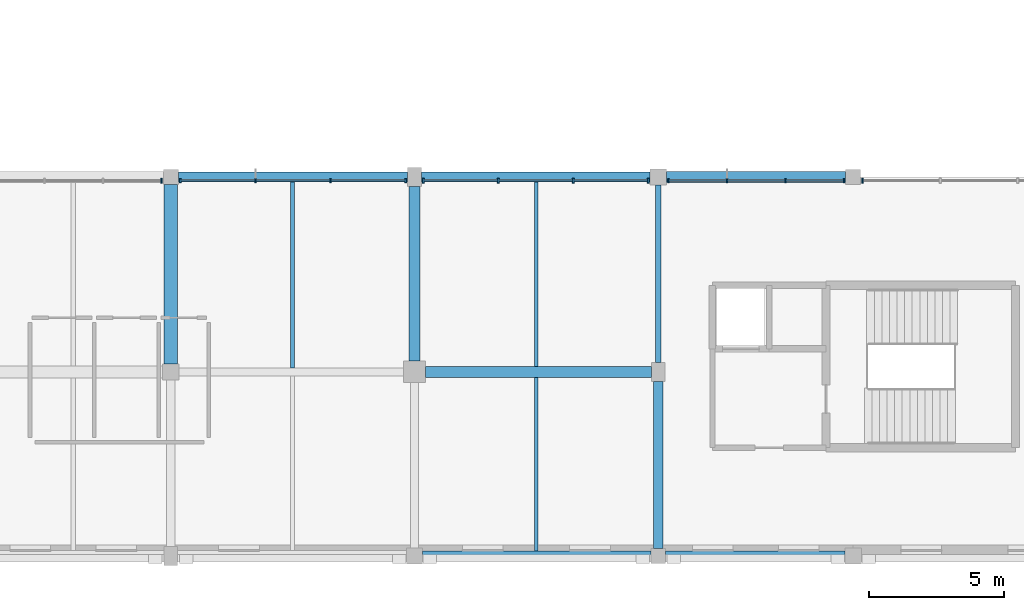
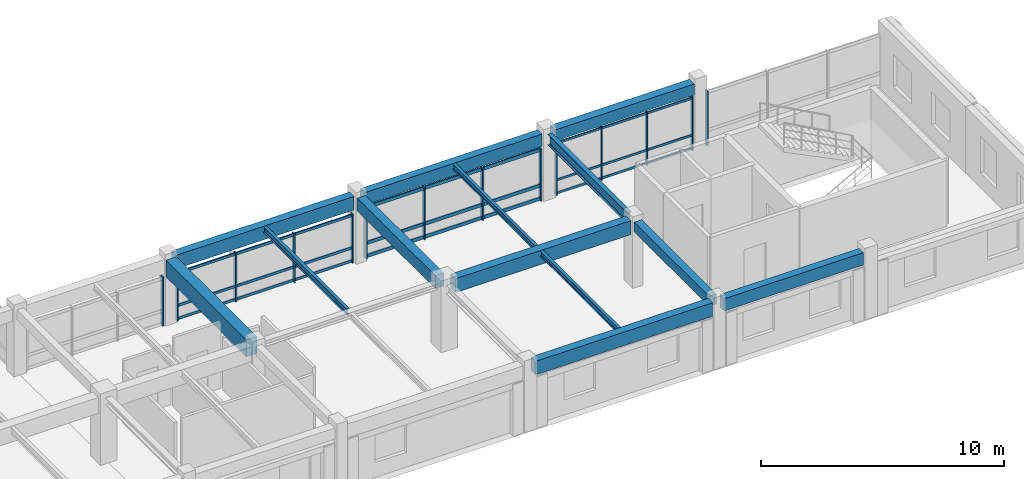
# One storey, part 8 of 74: 41 members, 13 beams, 5 elements without a shape of their own.
"""IFC4 building model written with IfcOpenShell, lengths in metres."""

import ifcopenshell
import ifcopenshell.guid

model = None  # the IFC model being written
_history = None  # IfcOwnerHistory: only IFC2X3 demands one
_inside = {}  # id of a spatial element -> (the spatial element, [elements in it])
_under = {}  # id of a project, library or spatial element -> (it, [spatial elements below it])
_declared = {}  # id of a project -> (the project, [libraries it declares])
_typed = {}  # id of a type object -> (the type object, [elements of that type])
_made_of = {}  # id of a material, layer set ... -> (it, [elements and type objects made of it])


def new_model(schema):
    """Start an empty IFC model of exactly this schema.

    Asked for "IFC4X3", IfcOpenShell would pick the latest addendum, in which some entities
    have other attributes; the version numbers below select the first issue.
    IFC2X3 requires an IfcOwnerHistory on every rooted entity: one is made here for all.
    """
    global model, _history
    if schema == "IFC4X3":
        model = ifcopenshell.file(schema_version=(4, 3, 0, 0))
    else:
        model = ifcopenshell.file(schema=schema)
    _inside.clear()
    _under.clear()
    _declared.clear()
    _typed.clear()
    _made_of.clear()
    _history = None
    if model.schema == "IFC2X3":
        org = make("IfcOrganization", Name="unknown")
        user = make(
            "IfcPersonAndOrganization",
            ThePerson=make("IfcPerson", FamilyName="unknown"),
            TheOrganization=org,
        )
        app = make(
            "IfcApplication",
            ApplicationDeveloper=org,
            Version="unknown",
            ApplicationFullName="unknown",
            ApplicationIdentifier="unknown",
        )
        _history = make(
            "IfcOwnerHistory",
            OwningUser=user,
            OwningApplication=app,
            ChangeAction="ADDED",
            CreationDate=0,
        )
    return model


def make(cls, **values):
    """One entity of the class cls with the attributes given. An attribute that is None is left unset."""
    return model.create_entity(
        cls, **{name: value for name, value in values.items() if value is not None}
    )


def rooted(cls, **values):
    """An entity with a GlobalId (a new one), such as an element, a storey or a relation."""
    return make(cls, GlobalId=ifcopenshell.guid.new(), OwnerHistory=_history, **values)


def si_unit(unit_type, name, prefix=None):
    """IfcSIUnit, for example si_unit("LENGTHUNIT", "METRE", prefix="MILLI")."""
    return make("IfcSIUnit", UnitType=unit_type, Prefix=prefix, Name=name)


def assignment(units):
    """IfcUnitAssignment: the units of a project."""
    return None if units is None else make("IfcUnitAssignment", Units=units)


def point(xyz):
    """IfcCartesianPoint."""
    return None if xyz is None else make("IfcCartesianPoint", Coordinates=xyz)


def direction(xyz):
    """IfcDirection."""
    return None if xyz is None else make("IfcDirection", DirectionRatios=xyz)


def frame(location, z_axis=None, x_axis=None):
    """IfcAxis2Placement3D, a coordinate frame: its origin and axes. An axis left out is left unset."""
    return make(
        "IfcAxis2Placement3D",
        Location=point(location),
        Axis=direction(z_axis),
        RefDirection=direction(x_axis),
    )


def frame_2d(location, x_axis=None):
    """IfcAxis2Placement2D, a coordinate frame in the plane: its origin and x axis."""
    return make(
        "IfcAxis2Placement2D", Location=point(location), RefDirection=direction(x_axis)
    )


def origin():
    """The frame at (0, 0, 0) with its axes left unset."""
    return frame((0.0, 0.0, 0.0))


def origin_2d():
    """The frame at (0, 0) in the plane with its x axis left unset."""
    return frame_2d((0.0, 0.0))


def place(relative_to, where):
    """IfcLocalPlacement: puts the frame where relative to a parent placement (None: the world)."""
    return make(
        "IfcLocalPlacement", PlacementRelTo=relative_to, RelativePlacement=where
    )


def context(
    kind, dimensions, precision=None, world=None, true_north=None, identifier=None
):
    """IfcGeometricRepresentationContext, for example the 3D "Model" context."""
    return make(
        "IfcGeometricRepresentationContext",
        ContextIdentifier=identifier,
        ContextType=kind,
        CoordinateSpaceDimension=dimensions,
        Precision=precision,
        WorldCoordinateSystem=world,
        TrueNorth=true_north,
    )


def subcontext(parent, identifier, kind, view, scale=None):
    """IfcGeometricRepresentationSubContext, for example "Body" below "Model"."""
    return make(
        "IfcGeometricRepresentationSubContext",
        ContextIdentifier=identifier,
        ContextType=kind,
        ParentContext=parent,
        TargetScale=scale,
        TargetView=view,
    )


def project(units=None, contexts=None):
    """IfcProject with its units and contexts."""
    return rooted(
        "IfcProject",
        Name="project",
        RepresentationContexts=contexts,
        UnitsInContext=assignment(units),
    )


def spatial(cls, under=None, at=None, **own):
    """A site, building, storey or space (cls), placed at a placement, below another one or the project."""
    s = rooted(cls, ObjectPlacement=at, **own)
    if under is not None:
        _under.setdefault(under.id(), (under, []))[1].append(s)
    return s


def profile(cls, at=None, kind="AREA", **sizes):
    """A parametric profile (cls). Its sizes go by their IFC names, for example OverallWidth=200.0."""
    return make(cls, ProfileType=kind, Position=at, **sizes)


def rectangle(**sizes):
    """IfcRectangleProfileDef."""
    return profile("IfcRectangleProfileDef", **sizes)


def i_section(**sizes):
    """IfcIShapeProfileDef."""
    return profile("IfcIShapeProfileDef", **sizes)


def extrude(swept, where, along, depth):
    """IfcExtrudedAreaSolid: the profile swept, set in the frame where, extruded along a direction by depth."""
    return make(
        "IfcExtrudedAreaSolid",
        SweptArea=swept,
        Position=where,
        ExtrudedDirection=direction(along),
        Depth=depth,
    )


def shape(context_of_items, identifier, shape_type, items):
    """IfcShapeRepresentation: the items that make up one representation, for example the "Body"."""
    return make(
        "IfcShapeRepresentation",
        ContextOfItems=context_of_items,
        RepresentationIdentifier=identifier,
        RepresentationType=shape_type,
        Items=items,
    )


def material(Name=None, Category=None):
    """IfcMaterial."""
    return make("IfcMaterial", Name=Name, Category=Category)


def material_profile(
    of_material, cross_section, Name=None, Category=None, Priority=None
):
    """IfcMaterialProfile: a cross section and its material."""
    return make(
        "IfcMaterialProfile",
        Name=Name,
        Material=of_material,
        Profile=cross_section,
        Priority=Priority,
        Category=Category,
    )


def profile_set(profiles, Name=None, composite=None):
    """IfcMaterialProfileSet."""
    return make(
        "IfcMaterialProfileSet",
        Name=Name,
        MaterialProfiles=profiles,
        CompositeProfile=composite,
    )


def made_of(thing, what):
    """Note that an element or type object is made of a material, layer set ...; save() writes the relation."""
    if what is not None:
        _made_of.setdefault(what.id(), (what, []))[1].append(thing)
    return thing


def type_object(cls, material=None, **own):
    """A type object (cls), such as IfcWallType, which elements share."""
    return made_of(rooted(cls, **own), material)


def element(
    cls,
    number,
    at=None,
    inside=None,
    cuts=None,
    type_object=None,
    material=None,
    context=None,
    identifier="Body",
    shape_type=None,
    held_by="IfcProductDefinitionShape",
    body=None,
    shapes=None,
    **own,
):
    """One element of the class cls, such as IfcWall. Its Tag is "e" and its number.

    at: its placement. inside: the storey or other place that contains it. cuts: it is an
    opening in that element (IfcRelVoidsElement). A single representation is given by context,
    identifier, shape_type and body (its items); several are given by shapes. held_by: the class
    of the entity that holds the representations. save() writes the other relations.
    """
    e = rooted(cls, Tag="e%d" % number, ObjectPlacement=at, **own)
    if body is not None:
        shapes = [shape(context, identifier, shape_type, body)]
    if shapes is not None:
        e.Representation = make(held_by, Representations=shapes)
    if inside is not None:
        _inside.setdefault(inside.id(), (inside, []))[1].append(e)
    if cuts is not None:
        rooted(
            "IfcRelVoidsElement", RelatingBuildingElement=cuts, RelatedOpeningElement=e
        )
    if type_object is not None:
        _typed.setdefault(type_object.id(), (type_object, []))[1].append(e)
    return made_of(e, material)


def aggregate(whole, parts):
    """IfcRelAggregates: a whole, such as a stair, and the parts it consists of."""
    return rooted("IfcRelAggregates", RelatingObject=whole, RelatedObjects=parts)


def save(model, path):
    """Write the relations noted so far, then the file.

    IfcRelAggregates (storeys below a building ...), IfcRelContainedInSpatialStructure (elements
    in a storey), IfcRelDefinesByType, IfcRelAssociatesMaterial and IfcRelDeclares: one each for
    every whole, place, type object, material and project.
    """
    for whole, parts in _under.values():
        aggregate(whole, parts)
    for where, things in _inside.values():
        rooted(
            "IfcRelContainedInSpatialStructure",
            RelatedElements=things,
            RelatingStructure=where,
        )
    for kind, things in _typed.values():
        rooted("IfcRelDefinesByType", RelatedObjects=things, RelatingType=kind)
    for what, things in _made_of.values():
        rooted("IfcRelAssociatesMaterial", RelatedObjects=things, RelatingMaterial=what)
    for by, libraries in _declared.values():
        rooted("IfcRelDeclares", RelatingContext=by, RelatedDefinitions=libraries)
    model.write(path)


model = new_model("IFC4")

# Units and contexts
model_context = context("Model", 3, precision=1e-05, world=origin(), true_north=direction((0.0, 1.0)))
body_context = subcontext(model_context, "Body", "Model", "MODEL_VIEW")
ifc_project = project(units=[si_unit("LENGTHUNIT", "METRE"), si_unit("AREAUNIT", "SQUARE_METRE"), si_unit("VOLUMEUNIT", "CUBIC_METRE"), si_unit("PLANEANGLEUNIT", "RADIAN"), si_unit("MASSUNIT", "GRAM", prefix="KILO")], contexts=[model_context])

# Site, building, storey
site_placement = place(None, origin())
site = spatial("IfcSite", under=ifc_project, at=site_placement, CompositionType="ELEMENT")
building_placement = place(site_placement, origin())
building = spatial("IfcBuilding", under=site, at=building_placement, Name="Clarverna Civic Hall", CompositionType="ELEMENT")
storey_placement = place(building_placement, frame((0.0, 0.0, 9.60009765625)))
storey = spatial("IfcBuildingStorey", under=building, at=storey_placement, Name="L02", CompositionType="ELEMENT", Elevation=9.60009765625)

# Beams
ifc_material_1 = material(Name="Concrete C35/45", Category="concrete")
ifc_material_profile_1 = material_profile(ifc_material_1, rectangle(XDim=0.5, YDim=0.85009765625, at=origin_2d()), Name="RC 500x850")
ifc_profile_set_1 = profile_set([ifc_material_profile_1], Name="Concrete C35/45")
beam_type_1 = type_object("IfcBeamType", Name="B-RC1", PredefinedType="BEAM", material=ifc_profile_set_1)
beam_1_placement = place(storey_placement, frame((32.39990234375, 7.10009765625, 2.89501953125), z_axis=(0.0, 1.0, 0.0), x_axis=(-1.0, 0.0, 0.0)))
element("IfcBeam", 1, at=beam_1_placement, inside=storey, type_object=beam_type_1, Name="B-RC1-023", PredefinedType="BEAM", context=body_context, shape_type="SweptSolid", body=[
    extrude(rectangle(XDim=0.5, YDim=0.85009765625, at=origin_2d()), origin(), (0.0, 0.0, 1.0), 6.625),
])
ifc_material_profile_2 = material_profile(ifc_material_1, rectangle(XDim=0.35009765625, YDim=0.5, at=origin_2d()), Name="RC 350x500")
ifc_profile_set_2 = profile_set([ifc_material_profile_2], Name="Concrete C35/45")
beam_type_2 = type_object("IfcBeamType", Name="B-RC10", PredefinedType="BEAM", material=ifc_profile_set_2)
beam_2_placement = place(storey_placement, frame((50.39990234375, 0.27490234375, 3.06982421875), z_axis=(0.0, 1.0, 0.0), x_axis=(-1.0, 0.0, 0.0)))
element("IfcBeam", 2, at=beam_2_placement, inside=storey, type_object=beam_type_2, Name="B-RC10-029", PredefinedType="BEAM", context=body_context, shape_type="SweptSolid", body=[
    extrude(rectangle(XDim=0.35009765625, YDim=0.5, at=origin_2d()), origin(), (0.0, 0.0, 1.0), 6.175048828125),
])
ifc_material_profile_3 = material_profile(ifc_material_1, rectangle(XDim=0.39990234375, YDim=0.699951171875, at=origin_2d()), Name="RC 400x700")
ifc_profile_set_3 = profile_set([ifc_material_profile_3], Name="Concrete C35/45")
beam_type_3 = type_object("IfcBeamType", Name="B-RC5", PredefinedType="BEAM", material=ifc_profile_set_3)
beam_3_placement = place(storey_placement, frame((41.800048828125, 6.800048828125, 2.969970703125), z_axis=(1.0, 0.0, 0.0), x_axis=(0.0, 1.0, 0.0)))
element("IfcBeam", 3, at=beam_3_placement, inside=storey, type_object=beam_type_3, Name="B-RC5-027", PredefinedType="BEAM", context=body_context, shape_type="SweptSolid", body=[
    extrude(rectangle(XDim=0.39990234375, YDim=0.699951171875, at=origin_2d()), origin(), (0.0, 0.0, 1.0), 8.349853515625),
])
ifc_material_profile_4 = material_profile(ifc_material_1, rectangle(XDim=0.39990234375, YDim=0.64990234375, at=origin_2d()), Name="RC 400x650")
ifc_profile_set_4 = profile_set([ifc_material_profile_4], Name="Concrete C35/45")
beam_type_4 = type_object("IfcBeamType", Name="B-RC6", PredefinedType="BEAM", material=ifc_profile_set_4)
beam_4_placement = place(storey_placement, frame((41.39990234375, 7.199951171875, 2.994873046875), z_axis=(0.0, 1.0, 0.0), x_axis=(-1.0, 0.0, 0.0)))
element("IfcBeam", 4, at=beam_4_placement, inside=storey, type_object=beam_type_4, Name="B-RC6-041", PredefinedType="BEAM", context=body_context, shape_type="SweptSolid", body=[
    extrude(rectangle(XDim=0.39990234375, YDim=0.64990234375, at=origin_2d()), origin(), (0.0, 0.0, 1.0), 6.449951171875),
])
ifc_material_profile_5 = material_profile(ifc_material_1, rectangle(XDim=0.3798828125, YDim=0.679931640625, at=origin_2d()), Name="RC 380x680")
ifc_profile_set_5 = profile_set([ifc_material_profile_5], Name="Concrete C35/45")
beam_type_5 = type_object("IfcBeamType", Name="B-SP2", PredefinedType="SPANDREL", material=ifc_profile_set_5)
beam_5_placement = place(storey_placement, frame((41.699951171875, 0.0, 2.97998046875), z_axis=(1.0, 0.0, 0.0), x_axis=(0.0, 1.0, 0.0)))
element("IfcBeam", 5, at=beam_5_placement, inside=storey, type_object=beam_type_5, Name="B-SP2-083", PredefinedType="SPANDREL", context=body_context, shape_type="SweptSolid", body=[
    extrude(rectangle(XDim=0.3798828125, YDim=0.679931640625, at=origin_2d()), origin(), (0.0, 0.0, 1.0), 8.425048828125),
])
beam_6_placement = place(storey_placement, frame((32.675048828125, 14.0, 2.97998046875), z_axis=(1.0, 0.0, 0.0), x_axis=(0.0, 1.0, 0.0)))
element("IfcBeam", 6, at=beam_6_placement, inside=storey, type_object=beam_type_5, Name="B-SP2-084", PredefinedType="SPANDREL", context=body_context, shape_type="SweptSolid", body=[
    extrude(rectangle(XDim=0.3798828125, YDim=0.679931640625, at=origin_2d()), origin(), (0.0, 0.0, 1.0), 8.474853515625),
])
ifc_material_profile_6 = material_profile(ifc_material_1, rectangle(XDim=0.360107421875, YDim=0.6201171875, at=origin_2d()), Name="RC 360x620")
ifc_profile_set_6 = profile_set([ifc_material_profile_6], Name="Concrete C35/45")
beam_type_6 = type_object("IfcBeamType", Name="B-SP3", PredefinedType="SPANDREL", material=ifc_profile_set_6)
beam_7_placement = place(storey_placement, frame((50.675048828125, 0.0, 3.010009765625), z_axis=(1.0, 0.0, 0.0), x_axis=(0.0, 1.0, 0.0)))
element("IfcBeam", 7, at=beam_7_placement, inside=storey, type_object=beam_type_6, Name="B-SP3-083", PredefinedType="SPANDREL", context=body_context, shape_type="SweptSolid", body=[
    extrude(rectangle(XDim=0.360107421875, YDim=0.6201171875, at=origin_2d()), origin(), (0.0, 0.0, 1.0), 6.625),
])
beam_8_placement = place(storey_placement, frame((41.64990234375, 14.0, 3.010009765625), z_axis=(1.0, 0.0, 0.0), x_axis=(0.0, 1.0, 0.0)))
element("IfcBeam", 8, at=beam_8_placement, inside=storey, type_object=beam_type_6, Name="B-SP3-084", PredefinedType="SPANDREL", context=body_context, shape_type="SweptSolid", body=[
    extrude(rectangle(XDim=0.360107421875, YDim=0.6201171875, at=origin_2d()), origin(), (0.0, 0.0, 1.0), 8.4501953125),
])
ifc_material_profile_7 = material_profile(ifc_material_1, rectangle(XDim=0.39990234375, YDim=0.56005859375, at=origin_2d()), Name="RC 400x560")
ifc_profile_set_7 = profile_set([ifc_material_profile_7], Name="Concrete C35/45")
beam_type_7 = type_object("IfcBeamType", Name="B-SP4", PredefinedType="SPANDREL", material=ifc_profile_set_7)
beam_9_placement = place(storey_placement, frame((50.699951171875, 14.0, 3.039794921875), z_axis=(1.0, 0.0, 0.0), x_axis=(0.0, 1.0, 0.0)))
element("IfcBeam", 9, at=beam_9_placement, inside=storey, type_object=beam_type_7, Name="B-SP4-082", PredefinedType="SPANDREL", context=body_context, shape_type="SweptSolid", body=[
    extrude(rectangle(XDim=0.39990234375, YDim=0.56005859375, at=origin_2d()), origin(), (0.0, 0.0, 1.0), 6.625),
])
ifc_material_2 = material(Name="Steel S355", Category="steel")
ifc_material_profile_8 = material_profile(ifc_material_2, i_section(OverallWidth=0.2099609375, OverallDepth=0.550048828125, WebThickness=0.010986328125, FlangeThickness=0.01708984375, FilletRadius=0.02392578125, at=origin_2d()), Name="IPE 550")
ifc_profile_set_8 = profile_set([ifc_material_profile_8], Name="Steel S355")
beam_type_8 = type_object("IfcBeamType", Name="B-ST11", PredefinedType="BEAM", material=ifc_profile_set_8)
beam_10_placement = place(storey_placement, frame((50.39990234375, 7.14990234375, 3.044921875), z_axis=(0.0, 1.0, 0.0), x_axis=(-1.0, 0.0, 0.0)))
element("IfcBeam", 10, at=beam_10_placement, inside=storey, type_object=beam_type_8, Name="B-ST11-012", PredefinedType="BEAM", context=body_context, shape_type="SweptSolid", body=[
    extrude(i_section(OverallWidth=0.2099609375, OverallDepth=0.550048828125, WebThickness=0.010986328125, FlangeThickness=0.01708984375, FilletRadius=0.02392578125, at=origin_2d()), origin(), (0.0, 0.0, 1.0), 6.550048828125),
])

# Curtain wall, member
ifc_material_3 = material(Name="Anodised Bronze Architectural Aluminium", Category="aluminium")
curtain_wall_type = type_object("IfcCurtainWallType", Name="CW-01", PredefinedType="USERDEFINED", material=ifc_material_3)
curtain_wall_1_placement = place(storey_placement, origin())
curtain_wall_1 = element("IfcCurtainWall", 11, at=curtain_wall_1_placement, inside=storey, type_object=curtain_wall_type, Name="CW-01-058", ObjectType="UNITISED CURTAIN WALL", PredefinedType="USERDEFINED")
ifc_material_profile_9 = material_profile(ifc_material_3, rectangle(XDim=0.06005859375, YDim=0.179931640625, at=origin_2d()), Name="BRONZE 60x180")
ifc_profile_set_9 = profile_set([ifc_material_profile_9], Name="Anodised Bronze Architectural Aluminium")
member_type_1 = type_object("IfcMemberType", Name="CWM-01", PredefinedType="MULLION", material=ifc_profile_set_9)
member_1_placement = place(storey_placement, frame((32.052001953125, 13.860107421875, 0.0), z_axis=(0.0, 0.0, 1.0), x_axis=(1.0, 0.0, 0.0)))
member_1 = element("IfcMember", 12, at=member_1_placement, type_object=member_type_1, Name="CWM-01-112", PredefinedType="MULLION", context=body_context, shape_type="SweptSolid", body=[
    extrude(rectangle(XDim=0.06005859375, YDim=0.179931640625, at=origin_2d()), origin(), (0.0, 0.0, 1.0), 2.469970703125),
])
aggregate(curtain_wall_1, [member_1])

curtain_wall_2_placement = place(storey_placement, origin())
curtain_wall_2 = element("IfcCurtainWall", 13, at=curtain_wall_2_placement, inside=storey, type_object=curtain_wall_type, Name="CW-01-062", ObjectType="UNITISED CURTAIN WALL", PredefinedType="USERDEFINED")
member_2_placement = place(storey_placement, frame((57.947998046875, 13.860107421875, 0.0), z_axis=(0.0, 0.0, 1.0), x_axis=(1.0, 0.0, 0.0)))
member_2 = element("IfcMember", 14, at=member_2_placement, type_object=member_type_1, Name="CWM-01-113", PredefinedType="MULLION", context=body_context, shape_type="SweptSolid", body=[
    extrude(rectangle(XDim=0.06005859375, YDim=0.179931640625, at=origin_2d()), origin(), (0.0, 0.0, 1.0), 2.760009765625),
])
aggregate(curtain_wall_2, [member_2])

# Curtain wall, members
curtain_wall_3_placement = place(storey_placement, origin())
curtain_wall_3 = element("IfcCurtainWall", 15, at=curtain_wall_3_placement, inside=storey, type_object=curtain_wall_type, Name="CW-01-059", ObjectType="UNITISED CURTAIN WALL", PredefinedType="USERDEFINED")
ifc_material_profile_10 = material_profile(ifc_material_3, rectangle(XDim=0.06005859375, YDim=0.159912109375, at=origin_2d()), Name="BRONZE 60x160")
ifc_profile_set_10 = profile_set([ifc_material_profile_10], Name="Anodised Bronze Architectural Aluminium")
member_type_2 = type_object("IfcMemberType", Name="CWM-02", PredefinedType="MULLION", material=ifc_profile_set_10)
member_3_placement = place(storey_placement, frame((32.748046875, 13.860107421875, 0.0), z_axis=(0.0, 0.0, 1.0), x_axis=(1.0, 0.0, 0.0)))
member_3 = element("IfcMember", 16, at=member_3_placement, type_object=member_type_2, Name="CWM-02-137", PredefinedType="MULLION", context=body_context, shape_type="SweptSolid", body=[
    extrude(rectangle(XDim=0.06005859375, YDim=0.159912109375, at=origin_2d()), origin(), (0.0, 0.0, 1.0), 2.469970703125),
])
member_4_placement = place(storey_placement, frame((35.5244140625, 13.860107421875, 0.0), z_axis=(0.0, 0.0, 1.0), x_axis=(1.0, 0.0, 0.0)))
member_4 = element("IfcMember", 17, at=member_4_placement, type_object=member_type_2, Name="CWM-02-138", PredefinedType="MULLION", context=body_context, shape_type="SweptSolid", body=[
    extrude(rectangle(XDim=0.06005859375, YDim=0.159912109375, at=origin_2d()), origin(), (0.0, 0.0, 1.0), 2.469970703125),
])
member_5_placement = place(storey_placement, frame((38.30078125, 13.860107421875, 0.0), z_axis=(0.0, 0.0, 1.0), x_axis=(1.0, 0.0, 0.0)))
member_5 = element("IfcMember", 18, at=member_5_placement, type_object=member_type_2, Name="CWM-02-139", PredefinedType="MULLION", context=body_context, shape_type="SweptSolid", body=[
    extrude(rectangle(XDim=0.06005859375, YDim=0.159912109375, at=origin_2d()), origin(), (0.0, 0.0, 1.0), 2.469970703125),
])
member_6_placement = place(storey_placement, frame((41.076904296875, 13.860107421875, 0.0), z_axis=(0.0, 0.0, 1.0), x_axis=(1.0, 0.0, 0.0)))
member_6 = element("IfcMember", 19, at=member_6_placement, type_object=member_type_2, Name="CWM-02-140", PredefinedType="MULLION", context=body_context, shape_type="SweptSolid", body=[
    extrude(rectangle(XDim=0.06005859375, YDim=0.159912109375, at=origin_2d()), origin(), (0.0, 0.0, 1.0), 2.469970703125),
])

curtain_wall_4_placement = place(storey_placement, origin())
curtain_wall_4 = element("IfcCurtainWall", 20, at=curtain_wall_4_placement, inside=storey, type_object=curtain_wall_type, Name="CW-01-060", ObjectType="UNITISED CURTAIN WALL", PredefinedType="USERDEFINED")
ifc_material_profile_11 = material_profile(ifc_material_3, rectangle(XDim=0.06494140625, YDim=0.199951171875, at=origin_2d()), Name="BRONZE 65x200")
ifc_profile_set_11 = profile_set([ifc_material_profile_11], Name="Anodised Bronze Architectural Aluminium")
member_type_3 = type_object("IfcMemberType", Name="CWM-03", PredefinedType="MULLION", material=ifc_profile_set_11)
member_7_placement = place(storey_placement, frame((41.722900390625, 13.860107421875, 0.0), z_axis=(0.0, 0.0, 1.0), x_axis=(1.0, 0.0, 0.0)))
member_7 = element("IfcMember", 21, at=member_7_placement, type_object=member_type_3, Name="CWM-03-113", PredefinedType="MULLION", context=body_context, shape_type="SweptSolid", body=[
    extrude(rectangle(XDim=0.06494140625, YDim=0.199951171875, at=origin_2d()), origin(), (0.0, 0.0, 1.0), 2.639892578125),
])
member_8_placement = place(storey_placement, frame((44.490966796875, 13.860107421875, 0.0), z_axis=(0.0, 0.0, 1.0), x_axis=(1.0, 0.0, 0.0)))
member_8 = element("IfcMember", 22, at=member_8_placement, type_object=member_type_3, Name="CWM-03-114", PredefinedType="MULLION", context=body_context, shape_type="SweptSolid", body=[
    extrude(rectangle(XDim=0.06494140625, YDim=0.199951171875, at=origin_2d()), origin(), (0.0, 0.0, 1.0), 2.639892578125),
])
member_9_placement = place(storey_placement, frame((47.259033203125, 13.860107421875, 0.0), z_axis=(0.0, 0.0, 1.0), x_axis=(1.0, 0.0, 0.0)))
member_9 = element("IfcMember", 23, at=member_9_placement, type_object=member_type_3, Name="CWM-03-115", PredefinedType="MULLION", context=body_context, shape_type="SweptSolid", body=[
    extrude(rectangle(XDim=0.06494140625, YDim=0.199951171875, at=origin_2d()), origin(), (0.0, 0.0, 1.0), 2.639892578125),
])
member_10_placement = place(storey_placement, frame((50.027099609375, 13.860107421875, 0.0), z_axis=(0.0, 0.0, 1.0), x_axis=(1.0, 0.0, 0.0)))
member_10 = element("IfcMember", 24, at=member_10_placement, type_object=member_type_3, Name="CWM-03-116", PredefinedType="MULLION", context=body_context, shape_type="SweptSolid", body=[
    extrude(rectangle(XDim=0.06494140625, YDim=0.199951171875, at=origin_2d()), origin(), (0.0, 0.0, 1.0), 2.639892578125),
])

curtain_wall_5_placement = place(storey_placement, origin())
curtain_wall_5 = element("IfcCurtainWall", 25, at=curtain_wall_5_placement, inside=storey, type_object=curtain_wall_type, Name="CW-01-061", ObjectType="UNITISED CURTAIN WALL", PredefinedType="USERDEFINED")
ifc_material_profile_12 = material_profile(ifc_material_3, rectangle(XDim=0.054931640625, YDim=0.139892578125, at=origin_2d()), Name="BRONZE 55x140")
ifc_profile_set_12 = profile_set([ifc_material_profile_12], Name="Anodised Bronze Architectural Aluminium")
member_type_4 = type_object("IfcMemberType", Name="CWM-04", PredefinedType="MULLION", material=ifc_profile_set_12)
member_11_placement = place(storey_placement, frame((50.77294921875, 13.860107421875, 0.0), z_axis=(0.0, 0.0, 1.0), x_axis=(1.0, 0.0, 0.0)))
member_11 = element("IfcMember", 26, at=member_11_placement, type_object=member_type_4, Name="CWM-04-141", PredefinedType="MULLION", context=body_context, shape_type="SweptSolid", body=[
    extrude(rectangle(XDim=0.054931640625, YDim=0.139892578125, at=origin_2d()), origin(), (0.0, 0.0, 1.0), 2.699951171875),
])
member_12_placement = place(storey_placement, frame((52.9326171875, 13.860107421875, 0.0), z_axis=(0.0, 0.0, 1.0), x_axis=(1.0, 0.0, 0.0)))
member_12 = element("IfcMember", 27, at=member_12_placement, type_object=member_type_4, Name="CWM-04-142", PredefinedType="MULLION", context=body_context, shape_type="SweptSolid", body=[
    extrude(rectangle(XDim=0.054931640625, YDim=0.139892578125, at=origin_2d()), origin(), (0.0, 0.0, 1.0), 2.699951171875),
])
member_13_placement = place(storey_placement, frame((55.09228515625, 13.860107421875, 0.0), z_axis=(0.0, 0.0, 1.0), x_axis=(1.0, 0.0, 0.0)))
member_13 = element("IfcMember", 28, at=member_13_placement, type_object=member_type_4, Name="CWM-04-143", PredefinedType="MULLION", context=body_context, shape_type="SweptSolid", body=[
    extrude(rectangle(XDim=0.054931640625, YDim=0.139892578125, at=origin_2d()), origin(), (0.0, 0.0, 1.0), 2.699951171875),
])
member_14_placement = place(storey_placement, frame((57.251953125, 13.860107421875, 0.0), z_axis=(0.0, 0.0, 1.0), x_axis=(1.0, 0.0, 0.0)))
member_14 = element("IfcMember", 29, at=member_14_placement, type_object=member_type_4, Name="CWM-04-144", PredefinedType="MULLION", context=body_context, shape_type="SweptSolid", body=[
    extrude(rectangle(XDim=0.054931640625, YDim=0.139892578125, at=origin_2d()), origin(), (0.0, 0.0, 1.0), 2.699951171875),
])

# Member
ifc_material_profile_13 = material_profile(ifc_material_3, rectangle(XDim=0.06005859375, YDim=0.1298828125, at=origin_2d()), Name="BRONZE 60x130")
ifc_profile_set_13 = profile_set([ifc_material_profile_13], Name="Anodised Bronze Architectural Aluminium")
member_type_5 = type_object("IfcMemberType", Name="CWT-02", PredefinedType="USERDEFINED", material=ifc_profile_set_13)
member_15_placement = place(storey_placement, frame((32.762939453125, 13.860107421875, 0.094970703125), z_axis=(1.0, 0.0, 0.0), x_axis=(0.0, 1.0, 0.0)))
member_15 = element("IfcMember", 30, at=member_15_placement, type_object=member_type_5, Name="CWT-02-286", ObjectType="TRANSOM", PredefinedType="USERDEFINED", context=body_context, shape_type="SweptSolid", body=[
    extrude(rectangle(XDim=0.06005859375, YDim=0.1298828125, at=origin_2d()), origin(), (0.0, 0.0, 1.0), 2.746337890625),
])

member_16_placement = place(storey_placement, frame((32.762939453125, 13.860107421875, 0.75), z_axis=(1.0, 0.0, 0.0), x_axis=(0.0, 1.0, 0.0)))
member_16 = element("IfcMember", 31, at=member_16_placement, type_object=member_type_5, Name="CWT-02-287", ObjectType="TRANSOM", PredefinedType="USERDEFINED", context=body_context, shape_type="SweptSolid", body=[
    extrude(rectangle(XDim=0.06005859375, YDim=0.1298828125, at=origin_2d()), origin(), (0.0, 0.0, 1.0), 2.746337890625),
])

member_17_placement = place(storey_placement, frame((32.762939453125, 13.860107421875, 2.375), z_axis=(1.0, 0.0, 0.0), x_axis=(0.0, 1.0, 0.0)))
member_17 = element("IfcMember", 32, at=member_17_placement, type_object=member_type_5, Name="CWT-02-288", ObjectType="TRANSOM", PredefinedType="USERDEFINED", context=body_context, shape_type="SweptSolid", body=[
    extrude(rectangle(XDim=0.06005859375, YDim=0.1298828125, at=origin_2d()), origin(), (0.0, 0.0, 1.0), 2.746337890625),
])

member_18_placement = place(storey_placement, frame((35.539306640625, 13.860107421875, 0.094970703125), z_axis=(1.0, 0.0, 0.0), x_axis=(0.0, 1.0, 0.0)))
member_18 = element("IfcMember", 33, at=member_18_placement, type_object=member_type_5, Name="CWT-02-289", ObjectType="TRANSOM", PredefinedType="USERDEFINED", context=body_context, shape_type="SweptSolid", body=[
    extrude(rectangle(XDim=0.06005859375, YDim=0.1298828125, at=origin_2d()), origin(), (0.0, 0.0, 1.0), 2.746337890625),
])

member_19_placement = place(storey_placement, frame((35.539306640625, 13.860107421875, 0.75), z_axis=(1.0, 0.0, 0.0), x_axis=(0.0, 1.0, 0.0)))
member_19 = element("IfcMember", 34, at=member_19_placement, type_object=member_type_5, Name="CWT-02-290", ObjectType="TRANSOM", PredefinedType="USERDEFINED", context=body_context, shape_type="SweptSolid", body=[
    extrude(rectangle(XDim=0.06005859375, YDim=0.1298828125, at=origin_2d()), origin(), (0.0, 0.0, 1.0), 2.746337890625),
])

member_20_placement = place(storey_placement, frame((35.539306640625, 13.860107421875, 2.375), z_axis=(1.0, 0.0, 0.0), x_axis=(0.0, 1.0, 0.0)))
member_20 = element("IfcMember", 35, at=member_20_placement, type_object=member_type_5, Name="CWT-02-291", ObjectType="TRANSOM", PredefinedType="USERDEFINED", context=body_context, shape_type="SweptSolid", body=[
    extrude(rectangle(XDim=0.06005859375, YDim=0.1298828125, at=origin_2d()), origin(), (0.0, 0.0, 1.0), 2.746337890625),
])

member_21_placement = place(storey_placement, frame((38.315673828125, 13.860107421875, 0.094970703125), z_axis=(1.0, 0.0, 0.0), x_axis=(0.0, 1.0, 0.0)))
member_21 = element("IfcMember", 36, at=member_21_placement, type_object=member_type_5, Name="CWT-02-292", ObjectType="TRANSOM", PredefinedType="USERDEFINED", context=body_context, shape_type="SweptSolid", body=[
    extrude(rectangle(XDim=0.06005859375, YDim=0.1298828125, at=origin_2d()), origin(), (0.0, 0.0, 1.0), 2.746337890625),
])

member_22_placement = place(storey_placement, frame((38.315673828125, 13.860107421875, 0.75), z_axis=(1.0, 0.0, 0.0), x_axis=(0.0, 1.0, 0.0)))
member_22 = element("IfcMember", 37, at=member_22_placement, type_object=member_type_5, Name="CWT-02-293", ObjectType="TRANSOM", PredefinedType="USERDEFINED", context=body_context, shape_type="SweptSolid", body=[
    extrude(rectangle(XDim=0.06005859375, YDim=0.1298828125, at=origin_2d()), origin(), (0.0, 0.0, 1.0), 2.746337890625),
])

member_23_placement = place(storey_placement, frame((38.315673828125, 13.860107421875, 2.375), z_axis=(1.0, 0.0, 0.0), x_axis=(0.0, 1.0, 0.0)))
member_23 = element("IfcMember", 38, at=member_23_placement, type_object=member_type_5, Name="CWT-02-294", ObjectType="TRANSOM", PredefinedType="USERDEFINED", context=body_context, shape_type="SweptSolid", body=[
    extrude(rectangle(XDim=0.06005859375, YDim=0.1298828125, at=origin_2d()), origin(), (0.0, 0.0, 1.0), 2.746337890625),
])

aggregate(curtain_wall_3, [member_3, member_4, member_5, member_6, member_15, member_16, member_17, member_18, member_19, member_20, member_21, member_22, member_23])

ifc_material_profile_14 = material_profile(ifc_material_3, rectangle(XDim=0.06494140625, YDim=0.169921875, at=origin_2d()), Name="BRONZE 65x170")
ifc_profile_set_14 = profile_set([ifc_material_profile_14], Name="Anodised Bronze Architectural Aluminium")
member_type_6 = type_object("IfcMemberType", Name="CWT-03", PredefinedType="USERDEFINED", material=ifc_profile_set_14)
member_24_placement = place(storey_placement, frame((41.738037109375, 13.860107421875, 0.094970703125), z_axis=(1.0, 0.0, 0.0), x_axis=(0.0, 1.0, 0.0)))
member_24 = element("IfcMember", 39, at=member_24_placement, type_object=member_type_6, Name="CWT-03-238", ObjectType="TRANSOM", PredefinedType="USERDEFINED", context=body_context, shape_type="SweptSolid", body=[
    extrude(rectangle(XDim=0.06494140625, YDim=0.169921875, at=origin_2d()), origin(), (0.0, 0.0, 1.0), 2.738037109375),
])

member_25_placement = place(storey_placement, frame((41.738037109375, 13.860107421875, 0.75), z_axis=(1.0, 0.0, 0.0), x_axis=(0.0, 1.0, 0.0)))
member_25 = element("IfcMember", 40, at=member_25_placement, type_object=member_type_6, Name="CWT-03-239", ObjectType="TRANSOM", PredefinedType="USERDEFINED", context=body_context, shape_type="SweptSolid", body=[
    extrude(rectangle(XDim=0.06494140625, YDim=0.169921875, at=origin_2d()), origin(), (0.0, 0.0, 1.0), 2.738037109375),
])

member_26_placement = place(storey_placement, frame((41.738037109375, 13.860107421875, 2.544921875), z_axis=(1.0, 0.0, 0.0), x_axis=(0.0, 1.0, 0.0)))
member_26 = element("IfcMember", 41, at=member_26_placement, type_object=member_type_6, Name="CWT-03-240", ObjectType="TRANSOM", PredefinedType="USERDEFINED", context=body_context, shape_type="SweptSolid", body=[
    extrude(rectangle(XDim=0.06494140625, YDim=0.169921875, at=origin_2d()), origin(), (0.0, 0.0, 1.0), 2.738037109375),
])

member_27_placement = place(storey_placement, frame((44.506103515625, 13.860107421875, 0.094970703125), z_axis=(1.0, 0.0, 0.0), x_axis=(0.0, 1.0, 0.0)))
member_27 = element("IfcMember", 42, at=member_27_placement, type_object=member_type_6, Name="CWT-03-241", ObjectType="TRANSOM", PredefinedType="USERDEFINED", context=body_context, shape_type="SweptSolid", body=[
    extrude(rectangle(XDim=0.06494140625, YDim=0.169921875, at=origin_2d()), origin(), (0.0, 0.0, 1.0), 2.73779296875),
])

member_28_placement = place(storey_placement, frame((44.506103515625, 13.860107421875, 0.75), z_axis=(1.0, 0.0, 0.0), x_axis=(0.0, 1.0, 0.0)))
member_28 = element("IfcMember", 43, at=member_28_placement, type_object=member_type_6, Name="CWT-03-242", ObjectType="TRANSOM", PredefinedType="USERDEFINED", context=body_context, shape_type="SweptSolid", body=[
    extrude(rectangle(XDim=0.06494140625, YDim=0.169921875, at=origin_2d()), origin(), (0.0, 0.0, 1.0), 2.73779296875),
])

member_29_placement = place(storey_placement, frame((44.506103515625, 13.860107421875, 2.544921875), z_axis=(1.0, 0.0, 0.0), x_axis=(0.0, 1.0, 0.0)))
member_29 = element("IfcMember", 44, at=member_29_placement, type_object=member_type_6, Name="CWT-03-243", ObjectType="TRANSOM", PredefinedType="USERDEFINED", context=body_context, shape_type="SweptSolid", body=[
    extrude(rectangle(XDim=0.06494140625, YDim=0.169921875, at=origin_2d()), origin(), (0.0, 0.0, 1.0), 2.73779296875),
])

member_30_placement = place(storey_placement, frame((47.27392578125, 13.860107421875, 0.094970703125), z_axis=(1.0, 0.0, 0.0), x_axis=(0.0, 1.0, 0.0)))
member_30 = element("IfcMember", 45, at=member_30_placement, type_object=member_type_6, Name="CWT-03-244", ObjectType="TRANSOM", PredefinedType="USERDEFINED", context=body_context, shape_type="SweptSolid", body=[
    extrude(rectangle(XDim=0.06494140625, YDim=0.169921875, at=origin_2d()), origin(), (0.0, 0.0, 1.0), 2.738037109375),
])

member_31_placement = place(storey_placement, frame((47.27392578125, 13.860107421875, 0.75), z_axis=(1.0, 0.0, 0.0), x_axis=(0.0, 1.0, 0.0)))
member_31 = element("IfcMember", 46, at=member_31_placement, type_object=member_type_6, Name="CWT-03-245", ObjectType="TRANSOM", PredefinedType="USERDEFINED", context=body_context, shape_type="SweptSolid", body=[
    extrude(rectangle(XDim=0.06494140625, YDim=0.169921875, at=origin_2d()), origin(), (0.0, 0.0, 1.0), 2.738037109375),
])

member_32_placement = place(storey_placement, frame((47.27392578125, 13.860107421875, 2.544921875), z_axis=(1.0, 0.0, 0.0), x_axis=(0.0, 1.0, 0.0)))
member_32 = element("IfcMember", 47, at=member_32_placement, type_object=member_type_6, Name="CWT-03-246", ObjectType="TRANSOM", PredefinedType="USERDEFINED", context=body_context, shape_type="SweptSolid", body=[
    extrude(rectangle(XDim=0.06494140625, YDim=0.169921875, at=origin_2d()), origin(), (0.0, 0.0, 1.0), 2.738037109375),
])

aggregate(curtain_wall_4, [member_7, member_8, member_9, member_10, member_24, member_25, member_26, member_27, member_28, member_29, member_30, member_31, member_32])

ifc_material_profile_15 = material_profile(ifc_material_3, rectangle(XDim=0.054931640625, YDim=0.110107421875, at=origin_2d()), Name="BRONZE 55x110")
ifc_profile_set_15 = profile_set([ifc_material_profile_15], Name="Anodised Bronze Architectural Aluminium")
member_type_7 = type_object("IfcMemberType", Name="CWT-04", PredefinedType="USERDEFINED", material=ifc_profile_set_15)
member_33_placement = place(storey_placement, frame((50.7880859375, 13.860107421875, 0.094970703125), z_axis=(1.0, 0.0, 0.0), x_axis=(0.0, 1.0, 0.0)))
member_33 = element("IfcMember", 48, at=member_33_placement, type_object=member_type_7, Name="CWT-04-295", ObjectType="TRANSOM", PredefinedType="USERDEFINED", context=body_context, shape_type="SweptSolid", body=[
    extrude(rectangle(XDim=0.054931640625, YDim=0.110107421875, at=origin_2d()), origin(), (0.0, 0.0, 1.0), 2.129638671875),
])

member_34_placement = place(storey_placement, frame((50.7880859375, 13.860107421875, 0.75), z_axis=(1.0, 0.0, 0.0), x_axis=(0.0, 1.0, 0.0)))
member_34 = element("IfcMember", 49, at=member_34_placement, type_object=member_type_7, Name="CWT-04-296", ObjectType="TRANSOM", PredefinedType="USERDEFINED", context=body_context, shape_type="SweptSolid", body=[
    extrude(rectangle(XDim=0.054931640625, YDim=0.110107421875, at=origin_2d()), origin(), (0.0, 0.0, 1.0), 2.129638671875),
])

member_35_placement = place(storey_placement, frame((50.7880859375, 13.860107421875, 2.60498046875), z_axis=(1.0, 0.0, 0.0), x_axis=(0.0, 1.0, 0.0)))
member_35 = element("IfcMember", 50, at=member_35_placement, type_object=member_type_7, Name="CWT-04-297", ObjectType="TRANSOM", PredefinedType="USERDEFINED", context=body_context, shape_type="SweptSolid", body=[
    extrude(rectangle(XDim=0.054931640625, YDim=0.110107421875, at=origin_2d()), origin(), (0.0, 0.0, 1.0), 2.129638671875),
])

member_36_placement = place(storey_placement, frame((52.94775390625, 13.860107421875, 0.094970703125), z_axis=(1.0, 0.0, 0.0), x_axis=(0.0, 1.0, 0.0)))
member_36 = element("IfcMember", 51, at=member_36_placement, type_object=member_type_7, Name="CWT-04-298", ObjectType="TRANSOM", PredefinedType="USERDEFINED", context=body_context, shape_type="SweptSolid", body=[
    extrude(rectangle(XDim=0.054931640625, YDim=0.110107421875, at=origin_2d()), origin(), (0.0, 0.0, 1.0), 2.129638671875),
])

member_37_placement = place(storey_placement, frame((52.94775390625, 13.860107421875, 0.75), z_axis=(1.0, 0.0, 0.0), x_axis=(0.0, 1.0, 0.0)))
member_37 = element("IfcMember", 52, at=member_37_placement, type_object=member_type_7, Name="CWT-04-299", ObjectType="TRANSOM", PredefinedType="USERDEFINED", context=body_context, shape_type="SweptSolid", body=[
    extrude(rectangle(XDim=0.054931640625, YDim=0.110107421875, at=origin_2d()), origin(), (0.0, 0.0, 1.0), 2.129638671875),
])

member_38_placement = place(storey_placement, frame((52.94775390625, 13.860107421875, 2.60498046875), z_axis=(1.0, 0.0, 0.0), x_axis=(0.0, 1.0, 0.0)))
member_38 = element("IfcMember", 53, at=member_38_placement, type_object=member_type_7, Name="CWT-04-300", ObjectType="TRANSOM", PredefinedType="USERDEFINED", context=body_context, shape_type="SweptSolid", body=[
    extrude(rectangle(XDim=0.054931640625, YDim=0.110107421875, at=origin_2d()), origin(), (0.0, 0.0, 1.0), 2.129638671875),
])

member_39_placement = place(storey_placement, frame((55.107421875, 13.860107421875, 0.094970703125), z_axis=(1.0, 0.0, 0.0), x_axis=(0.0, 1.0, 0.0)))
member_39 = element("IfcMember", 54, at=member_39_placement, type_object=member_type_7, Name="CWT-04-301", ObjectType="TRANSOM", PredefinedType="USERDEFINED", context=body_context, shape_type="SweptSolid", body=[
    extrude(rectangle(XDim=0.054931640625, YDim=0.110107421875, at=origin_2d()), origin(), (0.0, 0.0, 1.0), 2.129638671875),
])

member_40_placement = place(storey_placement, frame((55.107421875, 13.860107421875, 0.75), z_axis=(1.0, 0.0, 0.0), x_axis=(0.0, 1.0, 0.0)))
member_40 = element("IfcMember", 55, at=member_40_placement, type_object=member_type_7, Name="CWT-04-302", ObjectType="TRANSOM", PredefinedType="USERDEFINED", context=body_context, shape_type="SweptSolid", body=[
    extrude(rectangle(XDim=0.054931640625, YDim=0.110107421875, at=origin_2d()), origin(), (0.0, 0.0, 1.0), 2.129638671875),
])

member_41_placement = place(storey_placement, frame((55.107421875, 13.860107421875, 2.60498046875), z_axis=(1.0, 0.0, 0.0), x_axis=(0.0, 1.0, 0.0)))
member_41 = element("IfcMember", 56, at=member_41_placement, type_object=member_type_7, Name="CWT-04-303", ObjectType="TRANSOM", PredefinedType="USERDEFINED", context=body_context, shape_type="SweptSolid", body=[
    extrude(rectangle(XDim=0.054931640625, YDim=0.110107421875, at=origin_2d()), origin(), (0.0, 0.0, 1.0), 2.129638671875),
])

aggregate(curtain_wall_5, [member_11, member_12, member_13, member_14, member_33, member_34, member_35, member_36, member_37, member_38, member_39, member_40, member_41])

# Beams
ifc_material_profile_16 = material_profile(ifc_material_2, i_section(OverallWidth=0.14990234375, OverallDepth=0.300048828125, WebThickness=0.007080078125, FlangeThickness=0.0107421875, FilletRadius=0.014892578125, at=origin_2d()), Name="IPE 300")
ifc_profile_set_16 = profile_set([ifc_material_profile_16], Name="Steel S355")
beam_type_9 = type_object("IfcBeamType", Name="J-ST3", PredefinedType="JOIST", material=ifc_profile_set_16)
beam_11_placement = place(storey_placement, frame((36.89990234375, 6.949951171875, 3.169921875), z_axis=(0.0, 1.0, 0.0), x_axis=(-1.0, 0.0, 0.0)))
element("IfcBeam", 57, at=beam_11_placement, inside=storey, type_object=beam_type_9, Name="J-ST3-049", PredefinedType="JOIST", context=body_context, shape_type="SweptSolid", body=[
    extrude(i_section(OverallWidth=0.14990234375, OverallDepth=0.300048828125, WebThickness=0.007080078125, FlangeThickness=0.0107421875, FilletRadius=0.014892578125, at=origin_2d()), origin(), (0.0, 0.0, 1.0), 6.860107421875),
])
ifc_material_profile_17 = material_profile(ifc_material_2, i_section(OverallWidth=0.135009765625, OverallDepth=0.27001953125, WebThickness=0.006591796875, FlangeThickness=0.01025390625, FilletRadius=0.014892578125, at=origin_2d()), Name="IPE 270")
ifc_profile_set_17 = profile_set([ifc_material_profile_17], Name="Steel S355")
beam_type_10 = type_object("IfcBeamType", Name="J-ST4", PredefinedType="JOIST", material=ifc_profile_set_17)
beam_12_placement = place(storey_placement, frame((45.89990234375, 0.18994140625, 3.184814453125), z_axis=(0.0, 1.0, 0.0), x_axis=(-1.0, 0.0, 0.0)))
element("IfcBeam", 58, at=beam_12_placement, inside=storey, type_object=beam_type_10, Name="J-ST4-050", PredefinedType="JOIST", context=body_context, shape_type="SweptSolid", body=[
    extrude(i_section(OverallWidth=0.135009765625, OverallDepth=0.27001953125, WebThickness=0.006591796875, FlangeThickness=0.01025390625, FilletRadius=0.014892578125, at=origin_2d()), origin(), (0.0, 0.0, 1.0), 6.41015625),
])
beam_13_placement = place(storey_placement, frame((45.89990234375, 7.0, 3.184814453125), z_axis=(0.0, 1.0, 0.0), x_axis=(-1.0, 0.0, 0.0)))
element("IfcBeam", 59, at=beam_13_placement, inside=storey, type_object=beam_type_10, Name="J-ST4-051", PredefinedType="JOIST", context=body_context, shape_type="SweptSolid", body=[
    extrude(i_section(OverallWidth=0.135009765625, OverallDepth=0.27001953125, WebThickness=0.006591796875, FlangeThickness=0.01025390625, FilletRadius=0.014892578125, at=origin_2d()), origin(), (0.0, 0.0, 1.0), 6.820068359375),
])

save(model, "model.ifc")
